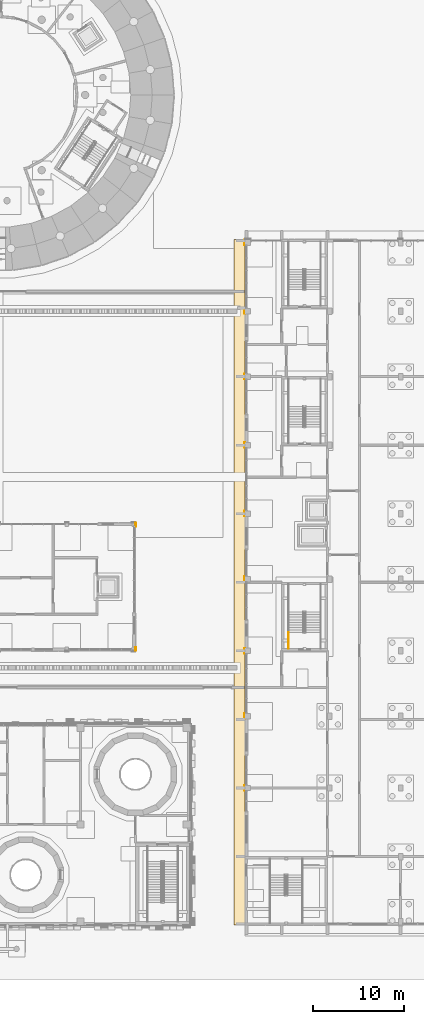
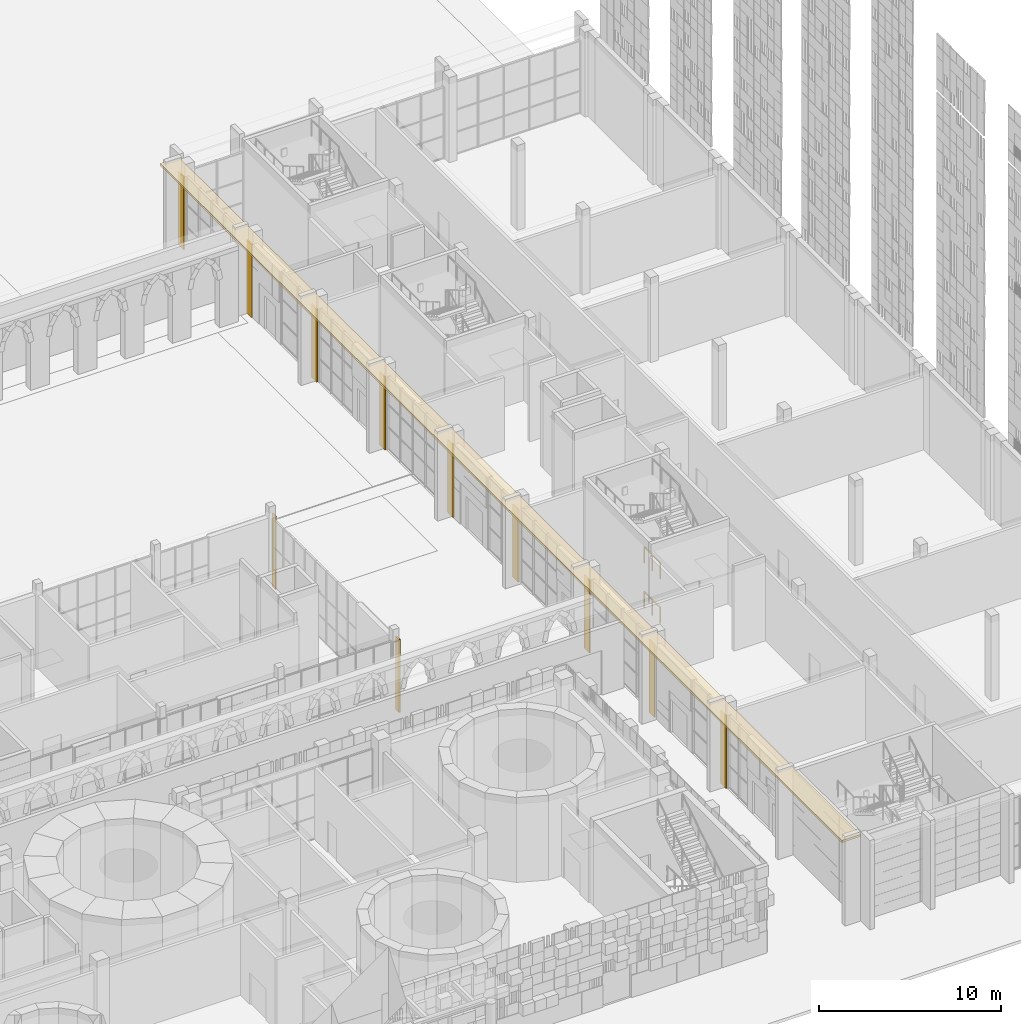
# One storey, part 108 of 125: 3 coverings, 2 railings.
"""IFC4 building model written with IfcOpenShell, lengths in metres."""

from ifc_helpers import new_model, si_unit, direction, frame, origin, origin_2d, place, context, subcontext, project, spatial, polyline, rectangle, circle, outline, extrude, material, layer, layer_set, type_object, element, save


model = new_model("IFC4")

# Units and contexts
model_context = context("Model", 3, precision=1e-05, world=origin(), true_north=direction((0.0, 1.0)))
body_context = subcontext(model_context, "Body", "Model", "MODEL_VIEW")
ifc_project = project(units=[si_unit("LENGTHUNIT", "METRE"), si_unit("AREAUNIT", "SQUARE_METRE"), si_unit("VOLUMEUNIT", "CUBIC_METRE"), si_unit("PLANEANGLEUNIT", "RADIAN"), si_unit("MASSUNIT", "GRAM", prefix="KILO")], contexts=[model_context])

# Site, building, storey
site_placement = place(None, origin())
site = spatial("IfcSite", under=ifc_project, at=site_placement, CompositionType="ELEMENT")
building_placement = place(site_placement, origin())
building = spatial("IfcBuilding", under=site, at=building_placement, Name="Sun Court Science Centre", CompositionType="ELEMENT")
storey_placement = place(building_placement, origin())
storey = spatial("IfcBuildingStorey", under=building, at=storey_placement, Name="L00", CompositionType="ELEMENT", Elevation=0.0)

# Railings
ifc_material_1 = material(Name="Steel S275", Category="steel")
railing_type = type_object("IfcRailingType", Name="Guard 1100 steel balustrade", PredefinedType="GUARDRAIL", material=ifc_material_1)
for number, where, name in (
    (1, (82.72705078125, 36.25, 3.0), "L00 SL2 stair guard 8"),
    (2, (82.72705078125, 36.25, 0.0), "L00 SL2 stair guard 16"),
):
    element("IfcRailing", number, at=place(storey_placement, frame(where)), inside=storey, type_object=railing_type, Name=name, PredefinedType="GUARDRAIL", context=body_context, shape_type="SweptSolid", body=[
        extrude(circle(Radius=0.02392578125, at=origin_2d()), frame((0.0, 0.0, 1.076171875), z_axis=(0.0, 1.0, 0.0), x_axis=(-1.0, 0.0, 0.0)), (0.0, 0.0, 1.0), 1.748046875),
        extrude(circle(Radius=0.02099609375, at=origin_2d()), origin(), (0.0, 0.0, 1.0), 1.052001953125),
        extrude(circle(Radius=0.02099609375, at=origin_2d()), frame((0.0, 0.8740234375, 0.0)), (0.0, 0.0, 1.0), 1.052001953125),
        extrude(circle(Radius=0.02099609375, at=origin_2d()), frame((0.0, 1.748046875, 0.0)), (0.0, 0.0, 1.0), 1.052001953125),
    ])

# Coverings
ifc_material_2 = material(Name="Red sandstone", Category="masonry")
ifc_layer_1 = layer(ifc_material_2, 0.080078125)
ifc_layer_set_1 = layer_set([ifc_layer_1], Name="Red sandstone")
covering_type_1 = type_object("IfcCoveringType", Name="Red sandstone pier cladding", PredefinedType="CLADDING", material=ifc_layer_set_1)
covering_1_placement = place(storey_placement, origin())
element("IfcCovering", 3, at=covering_1_placement, inside=storey, type_object=covering_type_1, Name="Red sandstone pier cladding west face L00", PredefinedType="CLADDING", context=body_context, shape_type="SweptSolid", body=[
    extrude(rectangle(XDim=0.60009765625, YDim=0.080078125, at=origin_2d()), frame((77.9599609375, 21.0, 0.0), z_axis=(0.0, 0.0, 1.0), x_axis=(0.0, 1.0, 0.0)), (0.0, 0.0, 1.0), 4.89990234375),
    extrude(rectangle(XDim=0.60009765625, YDim=0.080078125, at=origin_2d()), frame((77.9599609375, 28.85009765625, 0.0), z_axis=(0.0, 0.0, 1.0), x_axis=(0.0, 1.0, 0.0)), (0.0, 0.0, 1.0), 4.89990234375),
    extrude(rectangle(XDim=0.60009765625, YDim=0.080078125, at=origin_2d()), frame((77.9599609375, 36.0, 0.0), z_axis=(0.0, 0.0, 1.0), x_axis=(0.0, 1.0, 0.0)), (0.0, 0.0, 1.0), 4.89990234375),
    extrude(rectangle(XDim=0.60009765625, YDim=0.080078125, at=origin_2d()), frame((77.9599609375, 43.85009765625, 0.0), z_axis=(0.0, 0.0, 1.0), x_axis=(0.0, 1.0, 0.0)), (0.0, 0.0, 1.0), 4.89990234375),
    extrude(rectangle(XDim=0.60009765625, YDim=0.080078125, at=origin_2d()), frame((77.9599609375, 51.0, 0.0), z_axis=(0.0, 0.0, 1.0), x_axis=(0.0, 1.0, 0.0)), (0.0, 0.0, 1.0), 4.89990234375),
    extrude(rectangle(XDim=0.60009765625, YDim=0.080078125, at=origin_2d()), frame((77.9599609375, 58.5, 0.0), z_axis=(0.0, 0.0, 1.0), x_axis=(0.0, 1.0, 0.0)), (0.0, 0.0, 1.0), 4.89990234375),
    extrude(rectangle(XDim=0.60009765625, YDim=0.080078125, at=origin_2d()), frame((77.9599609375, 66.0, 0.0), z_axis=(0.0, 0.0, 1.0), x_axis=(0.0, 1.0, 0.0)), (0.0, 0.0, 1.0), 4.89990234375),
    extrude(rectangle(XDim=0.60009765625, YDim=0.080078125, at=origin_2d()), frame((77.9599609375, 73.14990234375, 0.0), z_axis=(0.0, 0.0, 1.0), x_axis=(0.0, 1.0, 0.0)), (0.0, 0.0, 1.0), 4.89990234375),
    extrude(rectangle(XDim=0.60009765625, YDim=0.080078125, at=origin_2d()), frame((77.9599609375, 80.64990234375, 0.0), z_axis=(0.0, 0.0, 1.0), x_axis=(0.0, 1.0, 0.0)), (0.0, 0.0, 1.0), 4.89990234375),
])
covering_2_placement = place(storey_placement, origin())
element("IfcCovering", 4, at=covering_2_placement, inside=storey, type_object=covering_type_1, Name="Red sandstone pier cladding east face L00", PredefinedType="CLADDING", context=body_context, shape_type="SweptSolid", body=[
    extrude(rectangle(XDim=0.39990234375, YDim=0.080078125, at=origin_2d()), frame((66.0400390625, 49.800048828125, 0.0), z_axis=(0.0, 0.0, 1.0), x_axis=(0.0, -1.0, 0.0)), (0.0, 0.0, 1.0), 4.89990234375),
    extrude(rectangle(XDim=0.39990234375, YDim=0.080078125, at=origin_2d()), frame((66.0400390625, 36.199951171875, 0.0), z_axis=(0.0, 0.0, 1.0), x_axis=(0.0, -1.0, 0.0)), (0.0, 0.0, 1.0), 4.89990234375),
])
ifc_material_3 = material(Name="Red sandstone", Category="masonry")
ifc_layer_2 = layer(ifc_material_3, 0.14990234375)
ifc_layer_set_2 = layer_set([ifc_layer_2], Name="Red sandstone")
covering_type_2 = type_object("IfcCoveringType", Name="Sandstone chhajja eave 1200", PredefinedType="CLADDING", material=ifc_layer_set_2)
covering_3_placement = place(storey_placement, frame((0.0, 0.0, 5.669921875)))
element("IfcCovering", 5, at=covering_3_placement, inside=storey, type_object=covering_type_2, Name="Chhajja eave west court face L00", PredefinedType="CLADDING", context=body_context, shape_type="SweptSolid", body=[
    extrude(outline(polyline([(76.800048828125, 6.0), (78.0, 6.0), (78.0, 81.0), (76.800048828125, 81.0), (76.800048828125, 6.0)])), origin(), (0.0, 0.0, 1.0), 0.150146484375),
])

save(model, "model.ifc")
